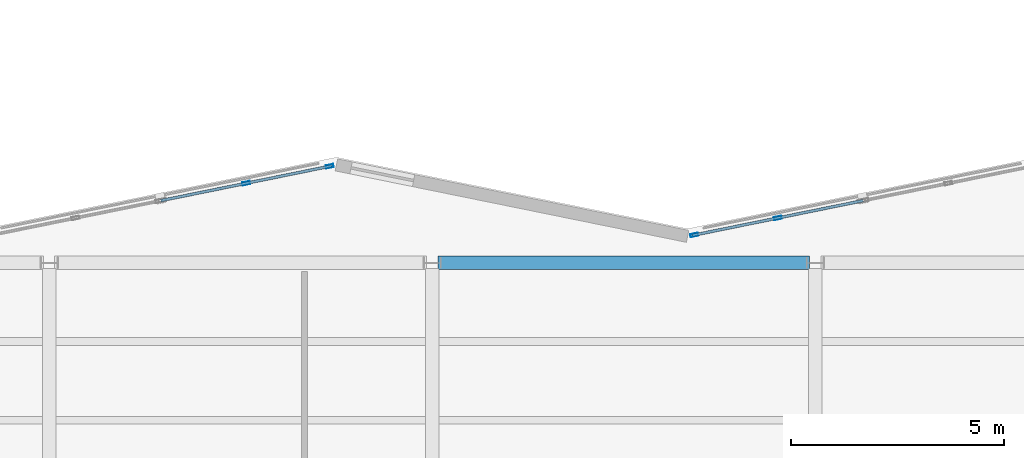
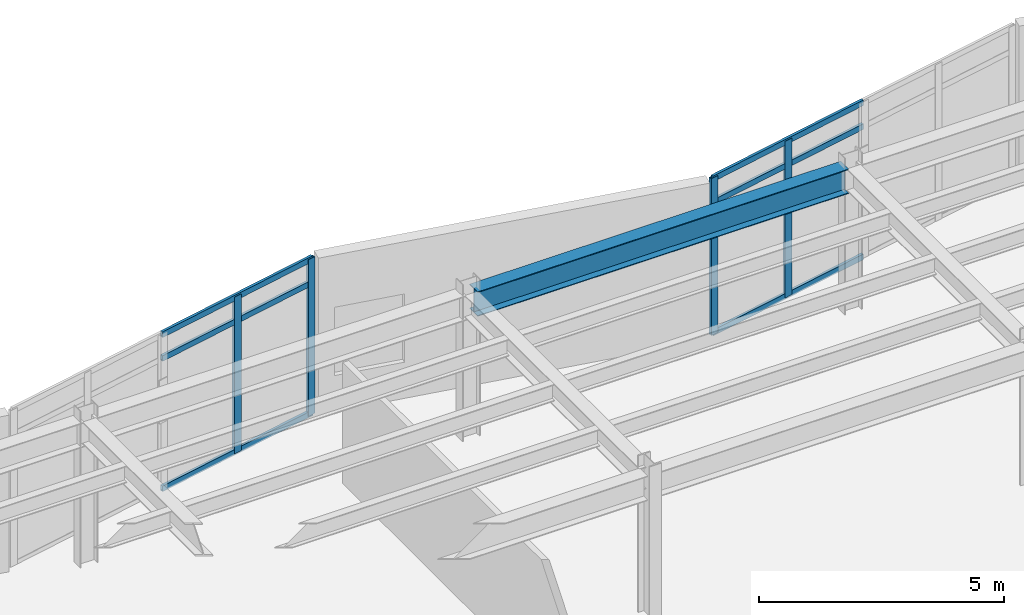
# One storey, part 20 of 59: 10 members, 1 beam, 2 elements without a shape of their own.
"""IFC4 building model written with IfcOpenShell, lengths in metres."""

from ifc_helpers import new_model, si_unit, direction, frame, origin, origin_2d, place, context, subcontext, project, spatial, hollow_rectangle, i_section, extrude, material, layer, layer_set, material_profile, profile_set, type_object, element, aggregate, save


model = new_model("IFC4")

# Units and contexts
model_context = context("Model", 3, precision=1e-05, world=origin(), true_north=direction((0.0, 1.0)))
body_context = subcontext(model_context, "Body", "Model", "MODEL_VIEW")
ifc_project = project(units=[si_unit("LENGTHUNIT", "METRE"), si_unit("AREAUNIT", "SQUARE_METRE"), si_unit("VOLUMEUNIT", "CUBIC_METRE"), si_unit("PLANEANGLEUNIT", "RADIAN"), si_unit("MASSUNIT", "GRAM", prefix="KILO")], contexts=[model_context])

# Site, building, storey
site_placement = place(None, origin())
site = spatial("IfcSite", under=ifc_project, at=site_placement, CompositionType="ELEMENT")
building_placement = place(site_placement, origin())
building = spatial("IfcBuilding", under=site, at=building_placement, Name="Sollismere Congress Hotel", CompositionType="ELEMENT")
storey_placement = place(building_placement, frame((0.0, 0.0, 15.60009765625)))
storey = spatial("IfcBuildingStorey", under=building, at=storey_placement, Name="L03", CompositionType="ELEMENT", Elevation=15.60009765625)

# Beam
ifc_material_1 = material(Name="Steel ASTM A992 Grade 50", Category="steel")
ifc_material_profile_1 = material_profile(ifc_material_1, i_section(OverallWidth=0.324951171875, OverallDepth=0.612060546875, WebThickness=0.0126953125, FlangeThickness=0.01904296875, at=origin_2d()), Name="W24X104")
ifc_profile_set_1 = profile_set([ifc_material_profile_1], Name="Steel ASTM A992 Grade 50")
beam_type = type_object("IfcBeamType", Name="BM-G24", PredefinedType="BEAM", material=ifc_profile_set_1)
beam_placement = place(storey_placement, frame((85.131103515625, 102.39990234375, 3.31884765625), z_axis=(1.0, 0.0, 0.0), x_axis=(0.0, 1.0, 0.0)))
element("IfcBeam", 1, at=beam_placement, inside=storey, type_object=beam_type, Name="Beam BM-L03-2401", PredefinedType="BEAM", context=body_context, shape_type="SweptSolid", body=[
    extrude(i_section(OverallWidth=0.324951171875, OverallDepth=0.612060546875, WebThickness=0.0126953125, FlangeThickness=0.01904296875, at=origin_2d()), origin(), (0.0, 0.0, 1.0), 8.73779296875),
])

# Curtain wall, members
ifc_material_2 = material(Name="Anodized Bronze Curtain Wall & Low-E Triple Glazing", Category="glass")
ifc_layer = layer(ifc_material_2, 0.199951171875, Name="Anodized Bronze Curtain Wall & Low-E Triple Glazing")
ifc_layer_set = layer_set([ifc_layer], Name="Anodized Bronze Curtain Wall & Low-E Triple Glazing")
curtain_wall_type = type_object("IfcCurtainWallType", Name="CW-GLZ36", PredefinedType="USERDEFINED", material=ifc_layer_set)
curtain_wall_1_placement = place(storey_placement, origin())
curtain_wall_1 = element("IfcCurtainWall", 2, at=curtain_wall_1_placement, inside=storey, type_object=curtain_wall_type, Name="Unitised curtain wall CW-L03-108", ObjectType="UNITISED CURTAIN WALL", PredefinedType="USERDEFINED")
ifc_material_3 = material(Name="Anodized Aluminum 6063-T6", Category="aluminium")
ifc_material_profile_2 = material_profile(ifc_material_3, hollow_rectangle(XDim=0.074951171875, YDim=0.179931640625, WallThickness=0.0048828125, at=origin_2d()), Name="ALU180X75X5")
ifc_profile_set_2 = profile_set([ifc_material_profile_2], Name="Anodized Aluminum 6063-T6")
member_type_1 = type_object("IfcMemberType", Name="ML-CW180", PredefinedType="MULLION", material=ifc_profile_set_2)
member_1_placement = place(storey_placement, frame((80.628662109375, 104.266845703125, 0.0), z_axis=(0.0, 0.0, 1.0), x_axis=(-0.199367934417, 0.979924704621, 0.0)))
member_1 = element("IfcMember", 3, at=member_1_placement, type_object=member_type_1, Name="CWL-CW-L03-108-ML02", PredefinedType="MULLION", context=body_context, shape_type="SweptSolid", body=[
    extrude(hollow_rectangle(XDim=0.074951171875, YDim=0.179931640625, WallThickness=0.0048828125, at=origin_2d()), origin(), (0.0, 0.0, 1.0), 3.89990234375),
])
member_2_placement = place(storey_placement, frame((82.59521484375, 104.6669921875, 0.0), z_axis=(0.0, 0.0, 1.0), x_axis=(-0.199367934417, 0.979924704621, 0.0)))
member_2 = element("IfcMember", 4, at=member_2_placement, type_object=member_type_1, Name="CWL-CW-L03-108-ML03", PredefinedType="MULLION", context=body_context, shape_type="SweptSolid", body=[
    extrude(hollow_rectangle(XDim=0.074951171875, YDim=0.179931640625, WallThickness=0.0048828125, at=origin_2d()), origin(), (0.0, 0.0, 1.0), 3.89990234375),
])

curtain_wall_2_placement = place(storey_placement, origin())
curtain_wall_2 = element("IfcCurtainWall", 5, at=curtain_wall_2_placement, inside=storey, type_object=curtain_wall_type, Name="Unitised curtain wall CW-L03-109", ObjectType="UNITISED CURTAIN WALL", PredefinedType="USERDEFINED")
member_3_placement = place(storey_placement, frame((91.15478515625, 103.051513671875, 0.0), z_axis=(0.0, 0.0, 1.0), x_axis=(-0.199367934417, 0.979924704621, 0.0)))
member_3 = element("IfcMember", 6, at=member_3_placement, type_object=member_type_1, Name="CWL-CW-L03-109-ML01", PredefinedType="MULLION", context=body_context, shape_type="SweptSolid", body=[
    extrude(hollow_rectangle(XDim=0.074951171875, YDim=0.179931640625, WallThickness=0.0048828125, at=origin_2d()), origin(), (0.0, 0.0, 1.0), 3.89990234375),
])
member_4_placement = place(storey_placement, frame((93.121337890625, 103.45166015625, 0.0), z_axis=(0.0, 0.0, 1.0), x_axis=(-0.199367934417, 0.979924704621, 0.0)))
member_4 = element("IfcMember", 7, at=member_4_placement, type_object=member_type_1, Name="CWL-CW-L03-109-ML02", PredefinedType="MULLION", context=body_context, shape_type="SweptSolid", body=[
    extrude(hollow_rectangle(XDim=0.074951171875, YDim=0.179931640625, WallThickness=0.0048828125, at=origin_2d()), origin(), (0.0, 0.0, 1.0), 3.89990234375),
])

# Member
ifc_material_profile_3 = material_profile(ifc_material_3, hollow_rectangle(XDim=0.06494140625, YDim=0.139892578125, WallThickness=0.00390625, at=origin_2d()), Name="ALU140X65X4")
ifc_profile_set_3 = profile_set([ifc_material_profile_3], Name="Anodized Aluminum 6063-T6")
member_type_2 = type_object("IfcMemberType", Name="TR-CW150", PredefinedType="MEMBER", material=ifc_profile_set_3)
member_5_placement = place(storey_placement, frame((78.625, 103.859375, 0.032470703125), z_axis=(0.979930139944, 0.199341217087, 0.0), x_axis=(-0.199341217087, 0.979930139944, 0.0)))
member_5 = element("IfcMember", 8, at=member_5_placement, type_object=member_type_2, Name="CWL-CW-L03-108-TR1", PredefinedType="MEMBER", context=body_context, shape_type="SweptSolid", body=[
    extrude(hollow_rectangle(XDim=0.06494140625, YDim=0.139892578125, WallThickness=0.00390625, at=origin_2d()), origin(), (0.0, 0.0, 1.0), 4.08935546875),
])

member_6_placement = place(storey_placement, frame((78.625, 103.859375, 3.27587890625), z_axis=(0.979930139944, 0.199341217087, 0.0), x_axis=(-0.199341217087, 0.979930139944, 0.0)))
member_6 = element("IfcMember", 9, at=member_6_placement, type_object=member_type_2, Name="CWL-CW-L03-108-TR2", PredefinedType="MEMBER", context=body_context, shape_type="SweptSolid", body=[
    extrude(hollow_rectangle(XDim=0.06494140625, YDim=0.139892578125, WallThickness=0.00390625, at=origin_2d()), origin(), (0.0, 0.0, 1.0), 4.08935546875),
])

member_7_placement = place(storey_placement, frame((78.625, 103.859375, 3.867431640625), z_axis=(0.979930139944, 0.199341217087, 0.0), x_axis=(-0.199341217087, 0.979930139944, 0.0)))
member_7 = element("IfcMember", 10, at=member_7_placement, type_object=member_type_2, Name="CWL-CW-L03-108-TR3", PredefinedType="MEMBER", context=body_context, shape_type="SweptSolid", body=[
    extrude(hollow_rectangle(XDim=0.06494140625, YDim=0.139892578125, WallThickness=0.00390625, at=origin_2d()), origin(), (0.0, 0.0, 1.0), 4.08935546875),
])

aggregate(curtain_wall_1, [member_1, member_2, member_5, member_6, member_7])

member_8_placement = place(storey_placement, frame((91.11767578125, 103.0439453125, 0.032470703125), z_axis=(0.979918476409, 0.199398544609, 0.0), x_axis=(-0.199398544609, 0.979918476409, 0.0)))
member_8 = element("IfcMember", 11, at=member_8_placement, type_object=member_type_2, Name="CWL-CW-L03-109-TR1", PredefinedType="MEMBER", context=body_context, shape_type="SweptSolid", body=[
    extrude(hollow_rectangle(XDim=0.06494140625, YDim=0.139892578125, WallThickness=0.00390625, at=origin_2d()), origin(), (0.0, 0.0, 1.0), 4.08935546875),
])

member_9_placement = place(storey_placement, frame((91.11767578125, 103.0439453125, 3.27587890625), z_axis=(0.979918476409, 0.199398544609, 0.0), x_axis=(-0.199398544609, 0.979918476409, 0.0)))
member_9 = element("IfcMember", 12, at=member_9_placement, type_object=member_type_2, Name="CWL-CW-L03-109-TR2", PredefinedType="MEMBER", context=body_context, shape_type="SweptSolid", body=[
    extrude(hollow_rectangle(XDim=0.06494140625, YDim=0.139892578125, WallThickness=0.00390625, at=origin_2d()), origin(), (0.0, 0.0, 1.0), 4.08935546875),
])

member_10_placement = place(storey_placement, frame((91.11767578125, 103.0439453125, 3.867431640625), z_axis=(0.979918476409, 0.199398544609, 0.0), x_axis=(-0.199398544609, 0.979918476409, 0.0)))
member_10 = element("IfcMember", 13, at=member_10_placement, type_object=member_type_2, Name="CWL-CW-L03-109-TR3", PredefinedType="MEMBER", context=body_context, shape_type="SweptSolid", body=[
    extrude(hollow_rectangle(XDim=0.06494140625, YDim=0.139892578125, WallThickness=0.00390625, at=origin_2d()), origin(), (0.0, 0.0, 1.0), 4.08935546875),
])

aggregate(curtain_wall_2, [member_3, member_4, member_8, member_9, member_10])

save(model, "model.ifc")
